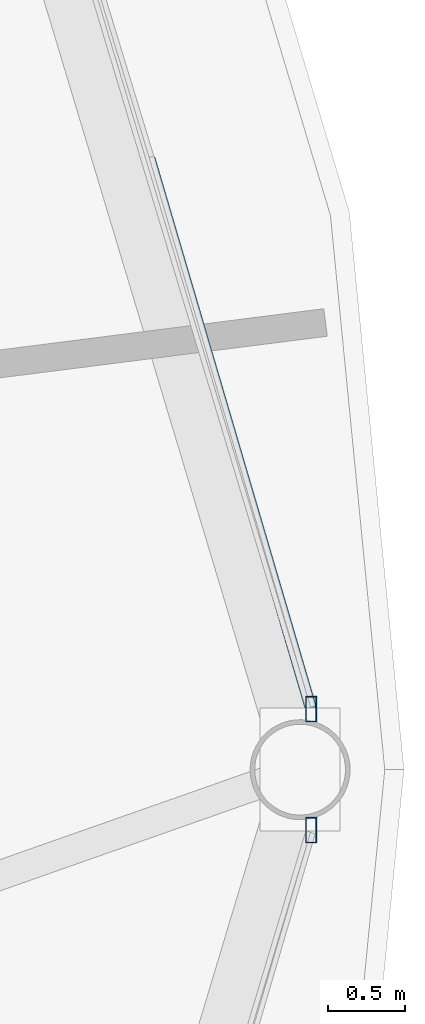
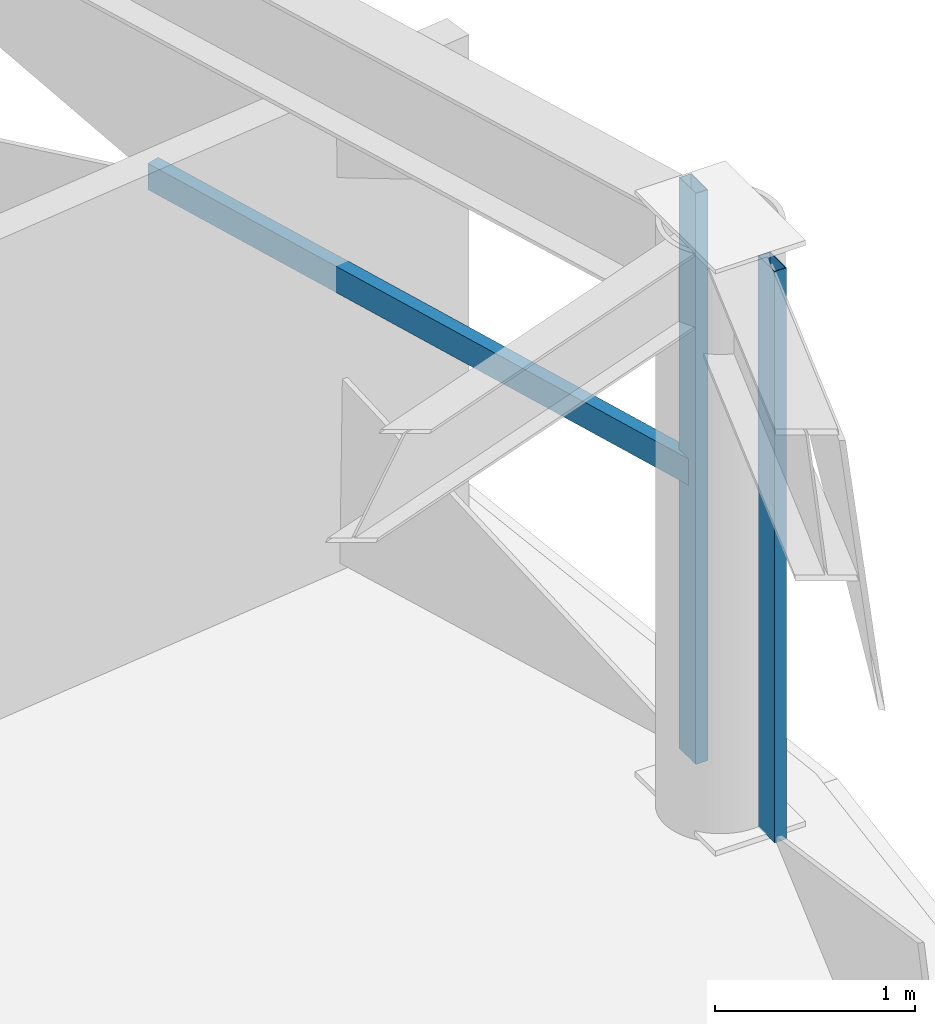
# One storey, part 14 of 30: 3 members, 2 elements without a shape of their own.
"""IFC4 building model written with IfcOpenShell, lengths in metres."""

from ifc_helpers import new_model, si_unit, direction, frame, origin, origin_2d, place, context, subcontext, project, spatial, hollow_rectangle, extrude, material, layer, layer_set, material_profile, profile_set, type_object, element, aggregate, save


model = new_model("IFC4")

# Units and contexts
model_context = context("Model", 3, precision=1e-05, world=origin(), true_north=direction((0.0, 1.0)))
body_context = subcontext(model_context, "Body", "Model", "MODEL_VIEW")
ifc_project = project(units=[si_unit("LENGTHUNIT", "METRE"), si_unit("AREAUNIT", "SQUARE_METRE"), si_unit("VOLUMEUNIT", "CUBIC_METRE"), si_unit("PLANEANGLEUNIT", "RADIAN"), si_unit("MASSUNIT", "GRAM", prefix="KILO")], contexts=[model_context])

# Site, building, storey
site_placement = place(None, origin())
site = spatial("IfcSite", under=ifc_project, at=site_placement, CompositionType="ELEMENT")
building_placement = place(site_placement, origin())
building = spatial("IfcBuilding", under=site, at=building_placement, Name="Vantalir Tower", CompositionType="ELEMENT")
storey_placement = place(building_placement, frame((0.0, 0.0, 186.14990234375)))
storey = spatial("IfcBuildingStorey", under=building, at=storey_placement, Name="L46", CompositionType="ELEMENT", Elevation=186.14990234375)

# Curtain wall, member
ifc_material_1 = material(Name="Champagne-silver PVDF aluminium and double-silver Low-E glass", Category="aluminium")
ifc_layer = layer(ifc_material_1, 0.2099609375)
ifc_layer_set = layer_set([ifc_layer], Name="Champagne-silver PVDF aluminium and double-silver Low-E glass")
curtain_wall_type = type_object("IfcCurtainWallType", Name="CW-DIAMOND-Z3", PredefinedType="USERDEFINED", material=ifc_layer_set)
curtain_wall_1_placement = place(storey_placement, origin())
curtain_wall_1 = element("IfcCurtainWall", 1, at=curtain_wall_1_placement, inside=storey, type_object=curtain_wall_type, Name="L46 Quilted Pyramid-Diamond Curtain Wall S01", ObjectType="UNITISED CURTAIN WALL", PredefinedType="USERDEFINED")
ifc_material_2 = material(Name="Champagne-silver PVDF aluminium 6063-T6", Category="aluminium")
ifc_material_profile_1 = material_profile(ifc_material_2, hollow_rectangle(XDim=0.070068359375, YDim=0.1650390625, WallThickness=0.00390625, at=origin_2d()), Name="Champagne-silver PVDF aluminium 6063-T6")
ifc_profile_set_1 = profile_set([ifc_material_profile_1], Name="Champagne-silver PVDF aluminium 6063-T6")
member_type_1 = type_object("IfcMemberType", Name="CWM-165x70", PredefinedType="MULLION", material=ifc_profile_set_1)
member_1_placement = place(storey_placement, frame((54.248046875, 25.39306640625, 0.045166015625), z_axis=(0.0, 0.0, 1.0), x_axis=(1.0, 0.0, 0.0)))
member_1 = element("IfcMember", 2, at=member_1_placement, type_object=member_type_1, Name="CW-L46-S01 Mullion 1", PredefinedType="MULLION", context=body_context, shape_type="SweptSolid", body=[
    extrude(hollow_rectangle(XDim=0.070068359375, YDim=0.1650390625, WallThickness=0.00390625, at=origin_2d()), origin(), (0.0, 0.0, 1.0), 3.47998046875),
])

curtain_wall_2_placement = place(storey_placement, origin())
curtain_wall_2 = element("IfcCurtainWall", 3, at=curtain_wall_2_placement, inside=storey, type_object=curtain_wall_type, Name="L46 Quilted Pyramid-Diamond Curtain Wall S12", ObjectType="UNITISED CURTAIN WALL", PredefinedType="USERDEFINED")
member_2_placement = place(storey_placement, frame((54.248046875, 24.60693359375, 0.045166015625), z_axis=(0.0, 0.0, 1.0), x_axis=(1.0, 0.0, 0.0)))
member_2 = element("IfcMember", 4, at=member_2_placement, type_object=member_type_1, Name="CW-L46-S12 Mullion 2", PredefinedType="MULLION", context=body_context, shape_type="SweptSolid", body=[
    extrude(hollow_rectangle(XDim=0.070068359375, YDim=0.1650390625, WallThickness=0.00390625, at=origin_2d()), origin(), (0.0, 0.0, 1.0), 3.47998046875),
])
aggregate(curtain_wall_2, [member_2])

# Member
ifc_material_profile_2 = material_profile(ifc_material_2, hollow_rectangle(XDim=0.074951171875, YDim=0.159912109375, WallThickness=0.00390625, at=origin_2d()), Name="Champagne-silver PVDF aluminium 6063-T6")
ifc_profile_set_2 = profile_set([ifc_material_profile_2], Name="Champagne-silver PVDF aluminium 6063-T6")
member_type_2 = type_object("IfcMemberType", Name="CWT-160x75", PredefinedType="USERDEFINED", material=ifc_profile_set_2)
member_3_placement = place(storey_placement, frame((54.248046875, 25.39306640625, 1.78515625), z_axis=(-0.281918134327, 0.959438463653, 0.0), x_axis=(-0.959438463653, -0.281918134327, 0.0)))
member_3 = element("IfcMember", 5, at=member_3_placement, type_object=member_type_2, Name="CW-L46-S01 Pyramid Fold Ridge Transom", ObjectType="TRANSOM", PredefinedType="USERDEFINED", context=body_context, shape_type="SweptSolid", body=[
    extrude(hollow_rectangle(XDim=0.074951171875, YDim=0.159912109375, WallThickness=0.00390625, at=origin_2d()), origin(), (0.0, 0.0, 1.0), 3.72802734375),
])

aggregate(curtain_wall_1, [member_1, member_3])

save(model, "model.ifc")
